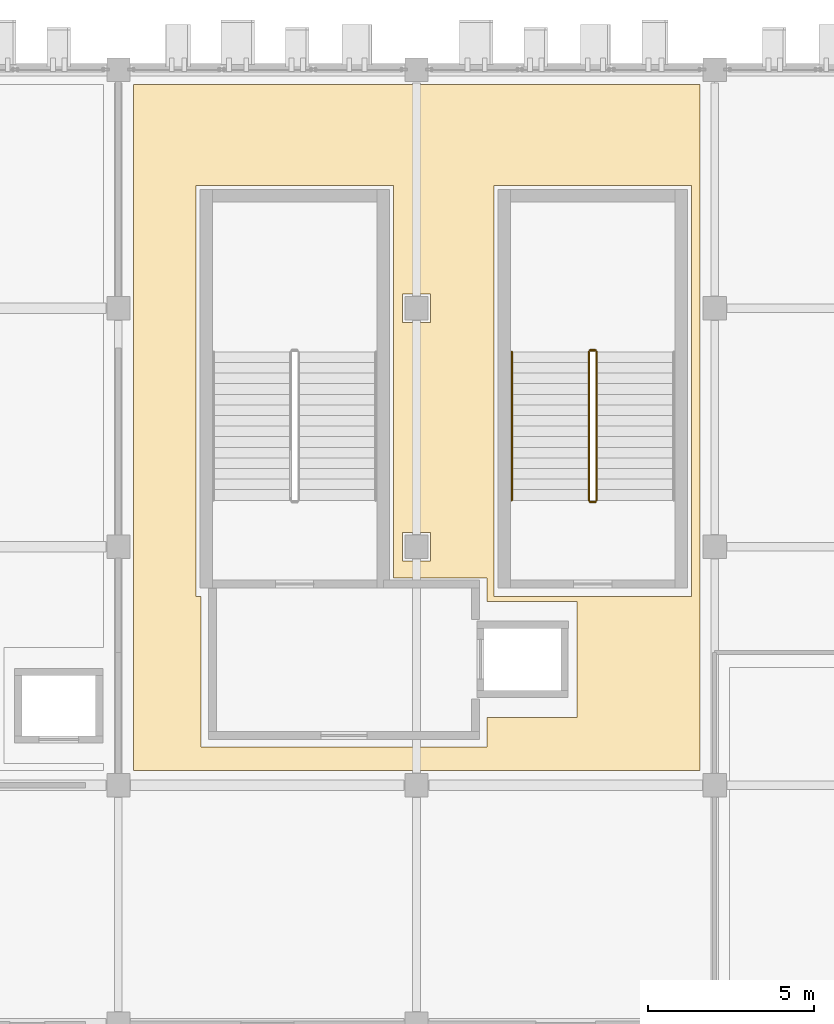
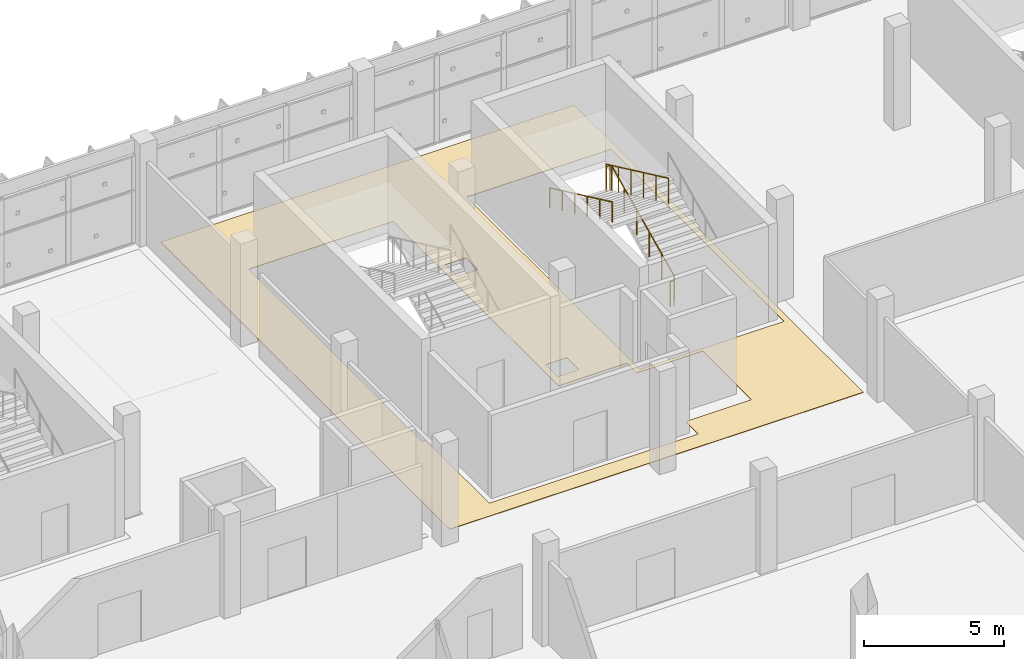
# One storey, part 142 of 151: 5 railings, 1 covering.
"""IFC4 building model written with IfcOpenShell, lengths in metres."""

import ifcopenshell
import ifcopenshell.guid

model = None  # the IFC model being written
_history = None  # IfcOwnerHistory: only IFC2X3 demands one
_inside = {}  # id of a spatial element -> (the spatial element, [elements in it])
_under = {}  # id of a project, library or spatial element -> (it, [spatial elements below it])
_declared = {}  # id of a project -> (the project, [libraries it declares])
_typed = {}  # id of a type object -> (the type object, [elements of that type])
_made_of = {}  # id of a material, layer set ... -> (it, [elements and type objects made of it])


def new_model(schema):
    """Start an empty IFC model of exactly this schema.

    Asked for "IFC4X3", IfcOpenShell would pick the latest addendum, in which some entities
    have other attributes; the version numbers below select the first issue.
    IFC2X3 requires an IfcOwnerHistory on every rooted entity: one is made here for all.
    """
    global model, _history
    if schema == "IFC4X3":
        model = ifcopenshell.file(schema_version=(4, 3, 0, 0))
    else:
        model = ifcopenshell.file(schema=schema)
    _inside.clear()
    _under.clear()
    _declared.clear()
    _typed.clear()
    _made_of.clear()
    _history = None
    if model.schema == "IFC2X3":
        org = make("IfcOrganization", Name="unknown")
        user = make(
            "IfcPersonAndOrganization",
            ThePerson=make("IfcPerson", FamilyName="unknown"),
            TheOrganization=org,
        )
        app = make(
            "IfcApplication",
            ApplicationDeveloper=org,
            Version="unknown",
            ApplicationFullName="unknown",
            ApplicationIdentifier="unknown",
        )
        _history = make(
            "IfcOwnerHistory",
            OwningUser=user,
            OwningApplication=app,
            ChangeAction="ADDED",
            CreationDate=0,
        )
    return model


def make(cls, **values):
    """One entity of the class cls with the attributes given. An attribute that is None is left unset."""
    return model.create_entity(
        cls, **{name: value for name, value in values.items() if value is not None}
    )


def rooted(cls, **values):
    """An entity with a GlobalId (a new one), such as an element, a storey or a relation."""
    return make(cls, GlobalId=ifcopenshell.guid.new(), OwnerHistory=_history, **values)


def si_unit(unit_type, name, prefix=None):
    """IfcSIUnit, for example si_unit("LENGTHUNIT", "METRE", prefix="MILLI")."""
    return make("IfcSIUnit", UnitType=unit_type, Prefix=prefix, Name=name)


def assignment(units):
    """IfcUnitAssignment: the units of a project."""
    return None if units is None else make("IfcUnitAssignment", Units=units)


def point(xyz):
    """IfcCartesianPoint."""
    return None if xyz is None else make("IfcCartesianPoint", Coordinates=xyz)


def direction(xyz):
    """IfcDirection."""
    return None if xyz is None else make("IfcDirection", DirectionRatios=xyz)


def frame(location, z_axis=None, x_axis=None):
    """IfcAxis2Placement3D, a coordinate frame: its origin and axes. An axis left out is left unset."""
    return make(
        "IfcAxis2Placement3D",
        Location=point(location),
        Axis=direction(z_axis),
        RefDirection=direction(x_axis),
    )


def frame_2d(location, x_axis=None):
    """IfcAxis2Placement2D, a coordinate frame in the plane: its origin and x axis."""
    return make(
        "IfcAxis2Placement2D", Location=point(location), RefDirection=direction(x_axis)
    )


def origin():
    """The frame at (0, 0, 0) with its axes left unset."""
    return frame((0.0, 0.0, 0.0))


def origin_2d():
    """The frame at (0, 0) in the plane with its x axis left unset."""
    return frame_2d((0.0, 0.0))


def place(relative_to, where):
    """IfcLocalPlacement: puts the frame where relative to a parent placement (None: the world)."""
    return make(
        "IfcLocalPlacement", PlacementRelTo=relative_to, RelativePlacement=where
    )


def context(
    kind, dimensions, precision=None, world=None, true_north=None, identifier=None
):
    """IfcGeometricRepresentationContext, for example the 3D "Model" context."""
    return make(
        "IfcGeometricRepresentationContext",
        ContextIdentifier=identifier,
        ContextType=kind,
        CoordinateSpaceDimension=dimensions,
        Precision=precision,
        WorldCoordinateSystem=world,
        TrueNorth=true_north,
    )


def subcontext(parent, identifier, kind, view, scale=None):
    """IfcGeometricRepresentationSubContext, for example "Body" below "Model"."""
    return make(
        "IfcGeometricRepresentationSubContext",
        ContextIdentifier=identifier,
        ContextType=kind,
        ParentContext=parent,
        TargetScale=scale,
        TargetView=view,
    )


def project(units=None, contexts=None):
    """IfcProject with its units and contexts."""
    return rooted(
        "IfcProject",
        Name="project",
        RepresentationContexts=contexts,
        UnitsInContext=assignment(units),
    )


def spatial(cls, under=None, at=None, **own):
    """A site, building, storey or space (cls), placed at a placement, below another one or the project."""
    s = rooted(cls, ObjectPlacement=at, **own)
    if under is not None:
        _under.setdefault(under.id(), (under, []))[1].append(s)
    return s


def polyline(points):
    """IfcPolyline through the points."""
    return make("IfcPolyline", Points=[point(p) for p in points])


def profile(cls, at=None, kind="AREA", **sizes):
    """A parametric profile (cls). Its sizes go by their IFC names, for example OverallWidth=200.0."""
    return make(cls, ProfileType=kind, Position=at, **sizes)


def circle(**sizes):
    """IfcCircleProfileDef."""
    return profile("IfcCircleProfileDef", **sizes)


def outline(outer, holes=None, kind="AREA"):
    """IfcArbitraryClosedProfileDef: a profile drawn as a closed curve; with holes, ...WithVoids."""
    if holes is None:
        return make("IfcArbitraryClosedProfileDef", ProfileType=kind, OuterCurve=outer)
    return make(
        "IfcArbitraryProfileDefWithVoids",
        ProfileType=kind,
        OuterCurve=outer,
        InnerCurves=holes,
    )


def extrude(swept, where, along, depth):
    """IfcExtrudedAreaSolid: the profile swept, set in the frame where, extruded along a direction by depth."""
    return make(
        "IfcExtrudedAreaSolid",
        SweptArea=swept,
        Position=where,
        ExtrudedDirection=direction(along),
        Depth=depth,
    )


def shape(context_of_items, identifier, shape_type, items):
    """IfcShapeRepresentation: the items that make up one representation, for example the "Body"."""
    return make(
        "IfcShapeRepresentation",
        ContextOfItems=context_of_items,
        RepresentationIdentifier=identifier,
        RepresentationType=shape_type,
        Items=items,
    )


def material(Name=None, Category=None):
    """IfcMaterial."""
    return make("IfcMaterial", Name=Name, Category=Category)


def layer(
    of_material, thickness, ventilated=None, Name=None, Category=None, Priority=None
):
    """IfcMaterialLayer: one layer of a wall or slab, of a material (None: an air gap)."""
    return make(
        "IfcMaterialLayer",
        Material=of_material,
        LayerThickness=thickness,
        IsVentilated=ventilated,
        Name=Name,
        Category=Category,
        Priority=Priority,
    )


def layer_set(layers, Name=None):
    """IfcMaterialLayerSet."""
    return make("IfcMaterialLayerSet", MaterialLayers=layers, LayerSetName=Name)


def made_of(thing, what):
    """Note that an element or type object is made of a material, layer set ...; save() writes the relation."""
    if what is not None:
        _made_of.setdefault(what.id(), (what, []))[1].append(thing)
    return thing


def type_object(cls, material=None, **own):
    """A type object (cls), such as IfcWallType, which elements share."""
    return made_of(rooted(cls, **own), material)


def element(
    cls,
    number,
    at=None,
    inside=None,
    cuts=None,
    type_object=None,
    material=None,
    context=None,
    identifier="Body",
    shape_type=None,
    held_by="IfcProductDefinitionShape",
    body=None,
    shapes=None,
    **own,
):
    """One element of the class cls, such as IfcWall. Its Tag is "e" and its number.

    at: its placement. inside: the storey or other place that contains it. cuts: it is an
    opening in that element (IfcRelVoidsElement). A single representation is given by context,
    identifier, shape_type and body (its items); several are given by shapes. held_by: the class
    of the entity that holds the representations. save() writes the other relations.
    """
    e = rooted(cls, Tag="e%d" % number, ObjectPlacement=at, **own)
    if body is not None:
        shapes = [shape(context, identifier, shape_type, body)]
    if shapes is not None:
        e.Representation = make(held_by, Representations=shapes)
    if inside is not None:
        _inside.setdefault(inside.id(), (inside, []))[1].append(e)
    if cuts is not None:
        rooted(
            "IfcRelVoidsElement", RelatingBuildingElement=cuts, RelatedOpeningElement=e
        )
    if type_object is not None:
        _typed.setdefault(type_object.id(), (type_object, []))[1].append(e)
    return made_of(e, material)


def aggregate(whole, parts):
    """IfcRelAggregates: a whole, such as a stair, and the parts it consists of."""
    return rooted("IfcRelAggregates", RelatingObject=whole, RelatedObjects=parts)


def save(model, path):
    """Write the relations noted so far, then the file.

    IfcRelAggregates (storeys below a building ...), IfcRelContainedInSpatialStructure (elements
    in a storey), IfcRelDefinesByType, IfcRelAssociatesMaterial and IfcRelDeclares: one each for
    every whole, place, type object, material and project.
    """
    for whole, parts in _under.values():
        aggregate(whole, parts)
    for where, things in _inside.values():
        rooted(
            "IfcRelContainedInSpatialStructure",
            RelatedElements=things,
            RelatingStructure=where,
        )
    for kind, things in _typed.values():
        rooted("IfcRelDefinesByType", RelatedObjects=things, RelatingType=kind)
    for what, things in _made_of.values():
        rooted("IfcRelAssociatesMaterial", RelatedObjects=things, RelatingMaterial=what)
    for by, libraries in _declared.values():
        rooted("IfcRelDeclares", RelatingContext=by, RelatedDefinitions=libraries)
    model.write(path)


model = new_model("IFC4")

# Units and contexts
model_context = context("Model", 3, precision=1e-05, world=origin(), true_north=direction((0.0, 1.0)))
body_context = subcontext(model_context, "Body", "Model", "MODEL_VIEW")
ifc_project = project(units=[si_unit("LENGTHUNIT", "METRE"), si_unit("AREAUNIT", "SQUARE_METRE"), si_unit("VOLUMEUNIT", "CUBIC_METRE"), si_unit("PLANEANGLEUNIT", "RADIAN"), si_unit("MASSUNIT", "GRAM", prefix="KILO")], contexts=[model_context])

# Site, building, storey
site_placement = place(None, origin())
site = spatial("IfcSite", under=ifc_project, at=site_placement, CompositionType="ELEMENT")
building_placement = place(site_placement, origin())
building = spatial("IfcBuilding", under=site, at=building_placement, Name="Celestram Park Convention Centre", CompositionType="ELEMENT")
storey_placement = place(building_placement, frame((0.0, 0.0, 10.800048828125)))
storey = spatial("IfcBuildingStorey", under=building, at=storey_placement, Name="L02", CompositionType="ELEMENT", Elevation=10.800048828125)

# Covering
ifc_material_1 = material(Name="Polished Lakefront Aggregate Terrazzo Flooring", Category="concrete")
ifc_layer_1 = layer(ifc_material_1, 0.02001953125)
ifc_layer_set_1 = layer_set([ifc_layer_1], Name="Polished Lakefront Aggregate Terrazzo Flooring")
covering_type = type_object("IfcCoveringType", Name="ARC-COV-FLR020", PredefinedType="FLOORING", material=ifc_layer_set_1)
covering_placement = place(storey_placement, origin())
element("IfcCovering", 1, at=covering_placement, inside=storey, type_object=covering_type, Name="East Elevator Lobby L02 terrazzo flooring", PredefinedType="FLOORING", context=body_context, shape_type="SweptSolid", body=[
    extrude(outline(polyline([(98.550048828125, 165.14990234375), (98.550048828125, 144.449951171875), (81.449951171875, 144.449951171875), (81.449951171875, 165.14990234375), (98.550048828125, 165.14990234375)]), holes=[polyline([(92.1298828125, 150.25), (89.300048828125, 150.25), (89.300048828125, 162.10009765625), (83.340087890625, 162.10009765625), (83.340087890625, 149.699951171875), (83.489990234375, 149.699951171875), (83.489990234375, 145.14990234375), (92.1298828125, 145.14990234375), (92.1298828125, 146.050048828125), (94.85009765625, 146.050048828125), (94.85009765625, 149.550048828125), (92.1298828125, 149.550048828125), (92.1298828125, 150.25)]), polyline([(98.300048828125, 162.10009765625), (92.340087890625, 162.10009765625), (92.340087890625, 149.699951171875), (98.300048828125, 149.699951171875), (98.300048828125, 162.10009765625)]), polyline([(90.427978515625, 151.6279296875), (89.572021484375, 151.6279296875), (89.572021484375, 150.77197265625), (90.427978515625, 150.77197265625), (90.427978515625, 151.6279296875)]), polyline([(90.427978515625, 158.827880859375), (89.572021484375, 158.827880859375), (89.572021484375, 157.971923828125), (90.427978515625, 157.971923828125), (90.427978515625, 158.827880859375)])]), origin(), (0.0, 0.0, 1.0), 0.02001953125),
])

# Railings
ifc_material_2 = material(Name="Stainless Steel AISI 316L & Laminated Glass", Category="steel")
ifc_layer_2 = layer(ifc_material_2, 0.06005859375)
ifc_layer_set_2 = layer_set([ifc_layer_2], Name="Stainless Steel AISI 316L & Laminated Glass")
railing_type_1 = type_object("IfcRailingType", Name="ARC-RL-GRD1120", PredefinedType="GUARDRAIL", material=ifc_layer_set_2)
railing_1_placement = place(storey_placement, frame((95.43603515625, 152.60009765625, 0.14990234375)))
element("IfcRailing", 2, at=railing_1_placement, inside=storey, type_object=railing_type_1, Name="L02 ST-19 stair guard 1", PredefinedType="GUARDRAIL", context=body_context, shape_type="SweptSolid", body=[
    extrude(circle(Radius=0.02392578125, at=origin_2d()), frame((0.0, 0.0, 1.09619140625), z_axis=(0.0, 0.905450639465, 0.424451574969), x_axis=(-1.0, 0.0, 0.0)), (0.0, 0.0, 1.0), 4.94775390625),
    extrude(circle(Radius=0.02099609375, at=origin_2d()), origin(), (0.0, 0.0, 1.0), 1.072021484375),
    extrude(circle(Radius=0.02099609375, at=origin_2d()), frame((0.0, 0.89599609375, 0.419921875)), (0.0, 0.0, 1.0), 1.072021484375),
    extrude(circle(Radius=0.02099609375, at=origin_2d()), frame((0.0, 1.7919921875, 0.840087890625)), (0.0, 0.0, 1.0), 1.072021484375),
    extrude(circle(Radius=0.02099609375, at=origin_2d()), frame((0.0, 2.68798828125, 1.260009765625)), (0.0, 0.0, 1.0), 1.072021484375),
    extrude(circle(Radius=0.02099609375, at=origin_2d()), frame((0.0, 3.583984375, 1.68017578125)), (0.0, 0.0, 1.0), 1.072021484375),
    extrude(circle(Radius=0.02099609375, at=origin_2d()), frame((0.0, 4.47998046875, 2.10009765625)), (0.0, 0.0, 1.0), 1.072021484375),
])
railing_2_placement = place(storey_placement, frame((95.39990234375, 157.1298828125, 2.25)))
element("IfcRailing", 3, at=railing_2_placement, inside=storey, type_object=railing_type_1, Name="L02 ST-19 stair guard 2", PredefinedType="GUARDRAIL", context=body_context, shape_type="SweptSolid", body=[
    extrude(circle(Radius=0.02392578125, at=origin_2d()), frame((0.0, 0.0, 1.09619140625), z_axis=(-1.0, 0.0, 0.0), x_axis=(0.0, -1.0, 0.0)), (0.0, 0.0, 1.0), 0.159912109375),
    extrude(circle(Radius=0.02099609375, at=origin_2d()), origin(), (0.0, 0.0, 1.0), 1.072021484375),
    extrude(circle(Radius=0.02099609375, at=origin_2d()), frame((-0.159912109375, 0.0, 0.0)), (0.0, 0.0, 1.0), 1.072021484375),
])
railing_3_placement = place(storey_placement, frame((95.2041015625, 157.080078125, 2.39990234375)))
element("IfcRailing", 4, at=railing_3_placement, inside=storey, type_object=railing_type_1, Name="L02 ST-19 stair guard 3", PredefinedType="GUARDRAIL", context=body_context, shape_type="SweptSolid", body=[
    extrude(circle(Radius=0.02392578125, at=origin_2d()), frame((0.0, 0.0, 1.09619140625), z_axis=(0.0, -0.905450639465, 0.424451574969), x_axis=(1.0, 0.0, 0.0)), (0.0, 0.0, 1.0), 4.94775390625),
    extrude(circle(Radius=0.02099609375, at=origin_2d()), origin(), (0.0, 0.0, 1.0), 1.072021484375),
    extrude(circle(Radius=0.02099609375, at=origin_2d()), frame((0.0, -0.89599609375, 0.419921875)), (0.0, 0.0, 1.0), 1.072021484375),
    extrude(circle(Radius=0.02099609375, at=origin_2d()), frame((0.0, -1.7919921875, 0.840087890625)), (0.0, 0.0, 1.0), 1.072021484375),
    extrude(circle(Radius=0.02099609375, at=origin_2d()), frame((0.0, -2.68798828125, 1.260009765625)), (0.0, 0.0, 1.0), 1.072021484375),
    extrude(circle(Radius=0.02099609375, at=origin_2d()), frame((0.0, -3.583984375, 1.68017578125)), (0.0, 0.0, 1.0), 1.072021484375),
    extrude(circle(Radius=0.02099609375, at=origin_2d()), frame((0.0, -4.47998046875, 2.10009765625)), (0.0, 0.0, 1.0), 1.072021484375),
])
railing_4_placement = place(storey_placement, frame((95.39990234375, 152.550048828125, 0.0)))
element("IfcRailing", 5, at=railing_4_placement, inside=storey, type_object=railing_type_1, Name="L02 ST-19 stair guard 4", PredefinedType="GUARDRAIL", context=body_context, shape_type="SweptSolid", body=[
    extrude(circle(Radius=0.02392578125, at=origin_2d()), frame((0.0, 0.0, 1.09619140625), z_axis=(-1.0, 0.0, 0.0), x_axis=(0.0, -1.0, 0.0)), (0.0, 0.0, 1.0), 0.159912109375),
    extrude(circle(Radius=0.02099609375, at=origin_2d()), origin(), (0.0, 0.0, 1.0), 1.072021484375),
    extrude(circle(Radius=0.02099609375, at=origin_2d()), frame((-0.159912109375, 0.0, 0.0)), (0.0, 0.0, 1.0), 1.072021484375),
])
ifc_material_3 = material(Name="Brushed Stainless Steel AISI 304", Category="steel")
ifc_layer_3 = layer(ifc_material_3, 0.048095703125)
ifc_layer_set_3 = layer_set([ifc_layer_3], Name="Brushed Stainless Steel AISI 304")
railing_type_2 = type_object("IfcRailingType", Name="ARC-RL-HND915", PredefinedType="HANDRAIL", material=ifc_layer_set_3)
railing_5_placement = place(storey_placement, frame((92.8759765625, 157.080078125, 2.39990234375)))
element("IfcRailing", 6, at=railing_5_placement, inside=storey, type_object=railing_type_2, Name="L02 ST-19 stair handrail 2", PredefinedType="HANDRAIL", context=body_context, shape_type="SweptSolid", body=[
    extrude(circle(Radius=0.02392578125, at=origin_2d()), frame((0.0, 0.0, 0.8759765625), z_axis=(0.0, -0.905450639465, 0.424451574969), x_axis=(1.0, 0.0, 0.0)), (0.0, 0.0, 1.0), 4.94775390625),
    extrude(circle(Radius=0.02099609375, at=origin_2d()), origin(), (0.0, 0.0, 1.0), 0.851806640625),
    extrude(circle(Radius=0.02099609375, at=origin_2d()), frame((0.0, -0.89599609375, 0.419921875)), (0.0, 0.0, 1.0), 0.851806640625),
    extrude(circle(Radius=0.02099609375, at=origin_2d()), frame((0.0, -1.7919921875, 0.840087890625)), (0.0, 0.0, 1.0), 0.851806640625),
    extrude(circle(Radius=0.02099609375, at=origin_2d()), frame((0.0, -2.68798828125, 1.260009765625)), (0.0, 0.0, 1.0), 0.851806640625),
    extrude(circle(Radius=0.02099609375, at=origin_2d()), frame((0.0, -3.583984375, 1.68017578125)), (0.0, 0.0, 1.0), 0.851806640625),
    extrude(circle(Radius=0.02099609375, at=origin_2d()), frame((0.0, -4.47998046875, 2.10009765625)), (0.0, 0.0, 1.0), 0.851806640625),
])

save(model, "model.ifc")
